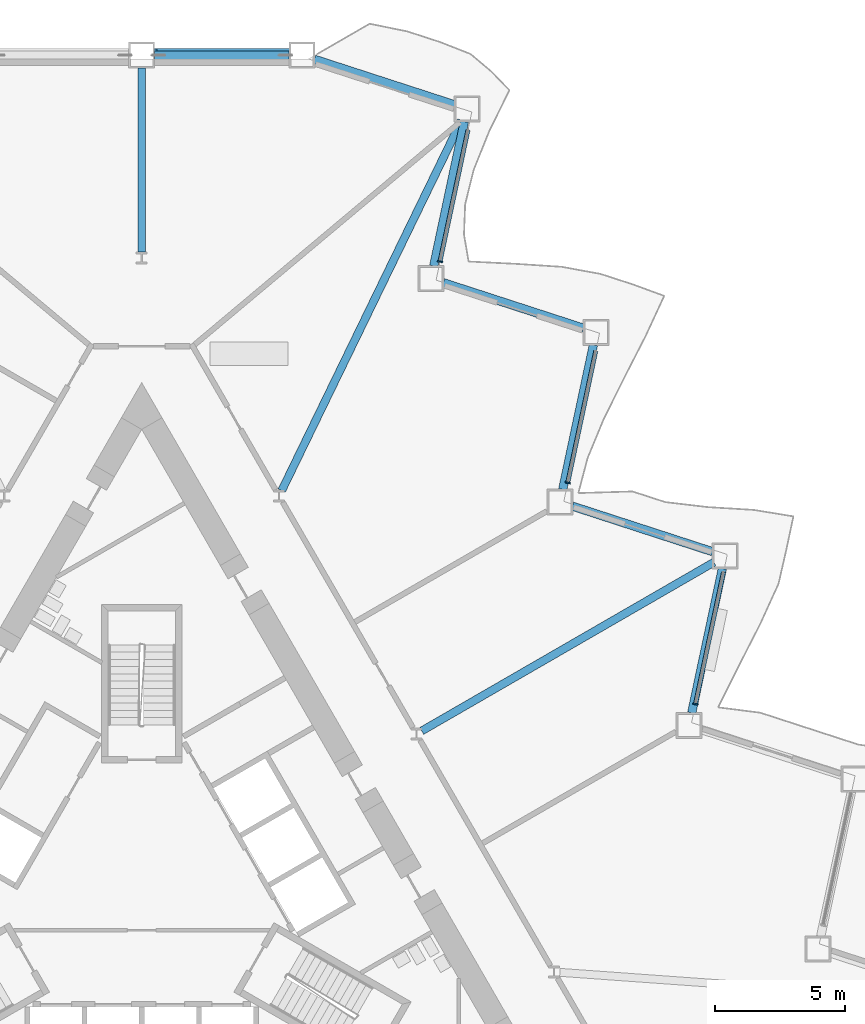
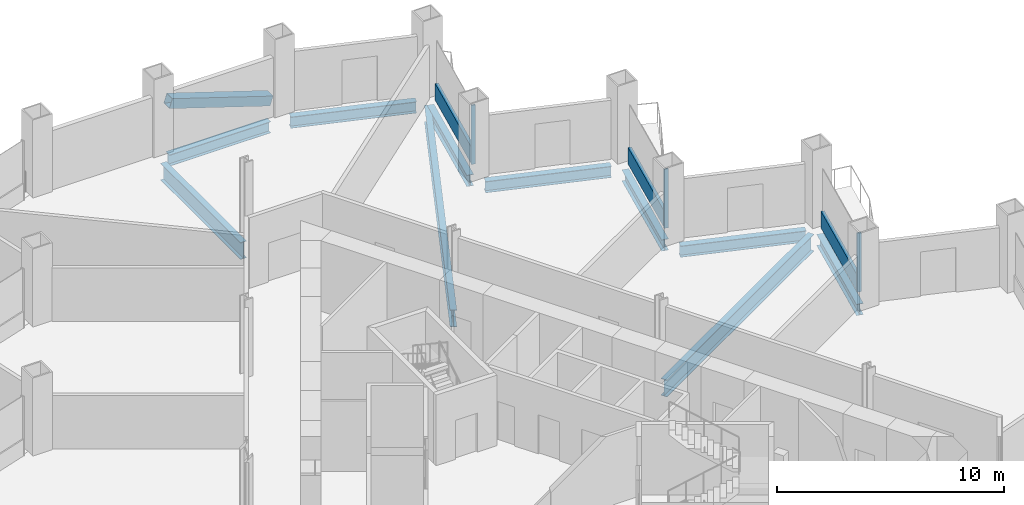
# One storey, part 7 of 21: 10 beams, 7 members, 3 elements without a shape of their own.
"""IFC4 building model written with IfcOpenShell, lengths in metres."""

from ifc_helpers import new_model, si_unit, direction, frame, origin, origin_2d, place, context, subcontext, project, spatial, rectangle, hollow_rectangle, i_section, extrude, material, layer, layer_set, material_profile, profile_set, type_object, element, aggregate, save


model = new_model("IFC4")

# Units and contexts
model_context = context("Model", 3, precision=1e-05, world=origin(), true_north=direction((0.0, 1.0)))
body_context = subcontext(model_context, "Body", "Model", "MODEL_VIEW")
ifc_project = project(units=[si_unit("LENGTHUNIT", "METRE"), si_unit("AREAUNIT", "SQUARE_METRE"), si_unit("VOLUMEUNIT", "CUBIC_METRE"), si_unit("PLANEANGLEUNIT", "RADIAN"), si_unit("MASSUNIT", "GRAM", prefix="KILO")], contexts=[model_context])

# Site, building, storey
site_placement = place(None, origin())
site = spatial("IfcSite", under=ifc_project, at=site_placement, CompositionType="ELEMENT")
building_placement = place(site_placement, origin())
building = spatial("IfcBuilding", under=site, at=building_placement, Name="Cormorant Prow Tower", CompositionType="ELEMENT")
storey_placement = place(building_placement, frame((0.0, 0.0, 72.0)))
storey = spatial("IfcBuildingStorey", under=building, at=storey_placement, Name="L15", CompositionType="ELEMENT", Elevation=72.0)

# Member
ifc_material_1 = material(Name="Structural steel ASTM A500 Gr C", Category="steel")
ifc_material_profile_1 = material_profile(ifc_material_1, hollow_rectangle(XDim=0.508056640625, YDim=0.508056640625, WallThickness=0.014892578125, at=origin_2d()), Name="HSS20x20x5/8")
ifc_profile_set_1 = profile_set([ifc_material_profile_1], Name="Structural steel ASTM A500 Gr C")
member_type_1 = type_object("IfcMemberType", Name="Chamfer brace HSS20x20x5/8", PredefinedType="BRACE", material=ifc_profile_set_1)
member_1_placement = place(storey_placement, frame((5.65087890625, 32.233642578125, 0.767333984375), z_axis=(-0.951774314198, 0.0, 0.306799046335), x_axis=(0.0, -1.0, 0.0)))
element("IfcMember", 1, at=member_1_placement, inside=storey, type_object=member_type_1, Name="Chamfer brace BR1 at N00 L15", PredefinedType="BRACE", context=body_context, shape_type="SweptSolid", body=[
    extrude(hollow_rectangle(XDim=0.508056640625, YDim=0.508056640625, WallThickness=0.014892578125, at=origin_2d()), origin(), (0.0, 0.0, 1.0), 5.39208984375),
])

# Curtain wall, member
ifc_material_2 = material(Name="Aluminium 6063-T6", Category="aluminium")
ifc_layer = layer(ifc_material_2, 0.199951171875)
ifc_layer_set = layer_set([ifc_layer], Name="Aluminium 6063-T6")
curtain_wall_type = type_object("IfcCurtainWallType", Name="Office unitised curtain wall 200", PredefinedType="NOTDEFINED", material=ifc_layer_set)
curtain_wall_1_placement = place(storey_placement, origin())
curtain_wall_1 = element("IfcCurtainWall", 2, at=curtain_wall_1_placement, inside=storey, type_object=curtain_wall_type, Name="Office curtain wall ENE04", PredefinedType="NOTDEFINED")
ifc_material_3 = material(Name="Aluminium 6063-T6", Category="aluminium")
ifc_material_profile_2 = material_profile(ifc_material_3, rectangle(XDim=0.199951171875, YDim=0.06005859375, at=origin_2d()), Name="Office mullion 60x200")
ifc_profile_set_2 = profile_set([ifc_material_profile_2], Name="Aluminium 6063-T6")
member_type_2 = type_object("IfcMemberType", Name="Office mullion 60x200", PredefinedType="MULLION", material=ifc_profile_set_2)
member_2_placement = place(storey_placement, frame((21.318359375, 7.259521484375, 0.0), z_axis=(0.0, 0.0, 1.0), x_axis=(-0.978147586919, 0.20791175581, 0.0)))
member_2 = element("IfcMember", 3, at=member_2_placement, type_object=member_type_2, Name="Office mullion ENE04", PredefinedType="MULLION", context=body_context, shape_type="SweptSolid", body=[
    extrude(rectangle(XDim=0.199951171875, YDim=0.06005859375, at=origin_2d()), origin(), (0.0, 0.0, 1.0), 3.18896484375),
])

curtain_wall_2_placement = place(storey_placement, origin())
curtain_wall_2 = element("IfcCurtainWall", 4, at=curtain_wall_2_placement, inside=storey, type_object=curtain_wall_type, Name="Office curtain wall ENE06", PredefinedType="NOTDEFINED")
member_3_placement = place(storey_placement, frame((16.4013671875, 15.77587890625, 0.0), z_axis=(0.0, 0.0, 1.0), x_axis=(-0.978147586919, 0.20791175581, 0.0)))
member_3 = element("IfcMember", 5, at=member_3_placement, type_object=member_type_2, Name="Office mullion ENE06", PredefinedType="MULLION", context=body_context, shape_type="SweptSolid", body=[
    extrude(rectangle(XDim=0.199951171875, YDim=0.06005859375, at=origin_2d()), origin(), (0.0, 0.0, 1.0), 3.18896484375),
])

curtain_wall_3_placement = place(storey_placement, origin())
curtain_wall_3 = element("IfcCurtainWall", 6, at=curtain_wall_3_placement, inside=storey, type_object=curtain_wall_type, Name="Office curtain wall ENE08", PredefinedType="NOTDEFINED")
member_4_placement = place(storey_placement, frame((11.484375, 24.29248046875, 0.0), z_axis=(0.0, 0.0, 1.0), x_axis=(-0.978147586919, 0.20791175581, 0.0)))
member_4 = element("IfcMember", 7, at=member_4_placement, type_object=member_type_2, Name="Office mullion ENE08", PredefinedType="MULLION", context=body_context, shape_type="SweptSolid", body=[
    extrude(rectangle(XDim=0.199951171875, YDim=0.06005859375, at=origin_2d()), origin(), (0.0, 0.0, 1.0), 3.18896484375),
])

# Member
ifc_material_4 = material(Name="Terracotta", Category="masonry")
ifc_material_profile_3 = material_profile(ifc_material_4, rectangle(XDim=0.159912109375, YDim=0.89990234375, at=origin_2d()), Name="Office terracotta spandrel rail 160x900")
ifc_profile_set_3 = profile_set([ifc_material_profile_3], Name="Terracotta")
member_type_3 = type_object("IfcMemberType", Name="Office terracotta spandrel rail 160x900", PredefinedType="USERDEFINED", material=ifc_profile_set_3)
member_5_placement = place(storey_placement, frame((21.324462890625, 7.288818359375, 0.449951171875), z_axis=(0.207952297337, 0.978138968671, 0.0), x_axis=(-0.978138968671, 0.207952297337, 0.0)))
member_5 = element("IfcMember", 8, at=member_5_placement, type_object=member_type_3, Name="Office spandrel rail ENE04", ObjectType="TRANSOM", PredefinedType="USERDEFINED", context=body_context, shape_type="SweptSolid", body=[
    extrude(rectangle(XDim=0.159912109375, YDim=0.89990234375, at=origin_2d()), origin(), (0.0, 0.0, 1.0), 5.150390625),
])

aggregate(curtain_wall_1, [member_2, member_5])

member_6_placement = place(storey_placement, frame((16.407470703125, 15.805419921875, 0.449951171875), z_axis=(0.207952297337, 0.978138968671, 0.0), x_axis=(-0.978138968671, 0.207952297337, 0.0)))
member_6 = element("IfcMember", 9, at=member_6_placement, type_object=member_type_3, Name="Office spandrel rail ENE06", ObjectType="TRANSOM", PredefinedType="USERDEFINED", context=body_context, shape_type="SweptSolid", body=[
    extrude(rectangle(XDim=0.159912109375, YDim=0.89990234375, at=origin_2d()), origin(), (0.0, 0.0, 1.0), 5.150390625),
])

aggregate(curtain_wall_2, [member_3, member_6])

member_7_placement = place(storey_placement, frame((11.490478515625, 24.32177734375, 0.449951171875), z_axis=(0.207897305086, 0.978150658405, 0.0), x_axis=(-0.978150658405, 0.207897305086, 0.0)))
member_7 = element("IfcMember", 10, at=member_7_placement, type_object=member_type_3, Name="Office spandrel rail ENE08", ObjectType="TRANSOM", PredefinedType="USERDEFINED", context=body_context, shape_type="SweptSolid", body=[
    extrude(rectangle(XDim=0.159912109375, YDim=0.89990234375, at=origin_2d()), origin(), (0.0, 0.0, 1.0), 5.150634765625),
])

aggregate(curtain_wall_3, [member_4, member_7])

# Beams
ifc_material_5 = material(Name="Structural steel ASTM A992 Gr 50", Category="steel")
ifc_material_profile_4 = material_profile(ifc_material_5, i_section(OverallWidth=0.3046875, OverallDepth=0.914794921875, WebThickness=0.0166015625, FlangeThickness=0.02587890625, at=origin_2d()), Name="W36x160")
ifc_profile_set_4 = profile_set([ifc_material_profile_4], Name="Structural steel ASTM A992 Gr 50")
beam_type_1 = type_object("IfcBeamType", Name="Radial floor beam W36x160", PredefinedType="BEAM", material=ifc_profile_set_4)
beam_1_placement = place(storey_placement, frame((0.0, 24.662109375, -0.857421875), z_axis=(0.0, 1.0, 0.0), x_axis=(-1.0, 0.0, 0.0)))
element("IfcBeam", 11, at=beam_1_placement, inside=storey, type_object=beam_type_1, Name="Radial floor beam FB1 1 L15", PredefinedType="BEAM", context=body_context, shape_type="SweptSolid", body=[
    extrude(i_section(OverallWidth=0.3046875, OverallDepth=0.914794921875, WebThickness=0.0166015625, FlangeThickness=0.02587890625, at=origin_2d()), origin(), (0.0, 0.0, 1.0), 7.071533203125),
])
beam_2_placement = place(storey_placement, frame((10.779541015625, 6.2236328125, -0.857421875), z_axis=(0.866030278318, 0.499991556966, 0.0), x_axis=(-0.499991556966, 0.866030278318, 0.0)))
element("IfcBeam", 12, at=beam_2_placement, inside=storey, type_object=beam_type_1, Name="Radial floor beam FB1 11 L15", PredefinedType="BEAM", context=body_context, shape_type="SweptSolid", body=[
    extrude(i_section(OverallWidth=0.3046875, OverallDepth=0.914794921875, WebThickness=0.0166015625, FlangeThickness=0.02587890625, at=origin_2d()), origin(), (0.0, 0.0, 1.0), 12.984130859375),
])
beam_3_placement = place(storey_placement, frame((5.390625, 15.4775390625, -0.857421875), z_axis=(0.436839436813, 0.899539496879, 0.0), x_axis=(-0.899539496879, 0.436839436813, 0.0)))
element("IfcBeam", 13, at=beam_3_placement, inside=storey, type_object=beam_type_1, Name="Radial floor beam FB1 12 L15", PredefinedType="BEAM", context=body_context, shape_type="SweptSolid", body=[
    extrude(i_section(OverallWidth=0.3046875, OverallDepth=0.914794921875, WebThickness=0.0166015625, FlangeThickness=0.02587890625, at=origin_2d()), origin(), (0.0, 0.0, 1.0), 15.83203125),
])
ifc_material_6 = material(Name="Structural steel ASTM A992 Gr 50", Category="steel")
ifc_material_profile_5 = material_profile(ifc_material_6, i_section(OverallWidth=0.32373046875, OverallDepth=0.611083984375, WebThickness=0.0126953125, FlangeThickness=0.01904296875, at=origin_2d()), Name="W24x104")
ifc_profile_set_5 = profile_set([ifc_material_profile_5], Name="Structural steel ASTM A992 Gr 50")
beam_type_2 = type_object("IfcBeamType", Name="Spandrel beam W24x104", PredefinedType="SPANDREL", material=ifc_profile_set_5)
beam_4_placement = place(storey_placement, frame((21.171875, 6.918212890625, -0.70556640625), z_axis=(0.207900376723, 0.97815000555, 0.0), x_axis=(-0.97815000555, 0.207900376723, 0.0)))
element("IfcBeam", 14, at=beam_4_placement, inside=storey, type_object=beam_type_2, Name="Spandrel beam SB1 ENE04-ENE05 L15", PredefinedType="SPANDREL", context=body_context, shape_type="SweptSolid", body=[
    extrude(i_section(OverallWidth=0.32373046875, OverallDepth=0.611083984375, WebThickness=0.0126953125, FlangeThickness=0.01904296875, at=origin_2d()), origin(), (0.0, 0.0, 1.0), 5.6826171875),
])
beam_5_placement = place(storey_placement, frame((21.981689453125, 13.1201171875, -0.70556640625), z_axis=(-0.951049222751, 0.309039440696, 0.0), x_axis=(-0.309039440696, -0.951049222751, 0.0)))
element("IfcBeam", 15, at=beam_5_placement, inside=storey, type_object=beam_type_2, Name="Spandrel beam SB1 ENE05-ENE06 L15", PredefinedType="SPANDREL", context=body_context, shape_type="SweptSolid", body=[
    extrude(i_section(OverallWidth=0.32373046875, OverallDepth=0.611083984375, WebThickness=0.0126953125, FlangeThickness=0.01904296875, at=origin_2d()), origin(), (0.0, 0.0, 1.0), 5.682373046875),
])
beam_6_placement = place(storey_placement, frame((16.205810546875, 15.519775390625, -0.70556640625), z_axis=(0.207900376723, 0.97815000555, 0.0), x_axis=(-0.97815000555, 0.207900376723, 0.0)))
element("IfcBeam", 16, at=beam_6_placement, inside=storey, type_object=beam_type_2, Name="Spandrel beam SB1 ENE06-ENE07 L15", PredefinedType="SPANDREL", context=body_context, shape_type="SweptSolid", body=[
    extrude(i_section(OverallWidth=0.32373046875, OverallDepth=0.611083984375, WebThickness=0.0126953125, FlangeThickness=0.01904296875, at=origin_2d()), origin(), (0.0, 0.0, 1.0), 5.6826171875),
])
beam_7_placement = place(storey_placement, frame((17.015625, 21.7216796875, -0.70556640625), z_axis=(-0.951049222751, 0.309039440696, 0.0), x_axis=(-0.309039440696, -0.951049222751, 0.0)))
element("IfcBeam", 17, at=beam_7_placement, inside=storey, type_object=beam_type_2, Name="Spandrel beam SB1 ENE07-ENE08 L15", PredefinedType="SPANDREL", context=body_context, shape_type="SweptSolid", body=[
    extrude(i_section(OverallWidth=0.32373046875, OverallDepth=0.611083984375, WebThickness=0.0126953125, FlangeThickness=0.01904296875, at=origin_2d()), origin(), (0.0, 0.0, 1.0), 5.682373046875),
])
beam_8_placement = place(storey_placement, frame((11.23974609375, 24.121337890625, -0.70556640625), z_axis=(0.207900376723, 0.97815000555, 0.0), x_axis=(-0.97815000555, 0.207900376723, 0.0)))
element("IfcBeam", 18, at=beam_8_placement, inside=storey, type_object=beam_type_2, Name="Spandrel beam SB1 ENE08-ENE09 L15", PredefinedType="SPANDREL", context=body_context, shape_type="SweptSolid", body=[
    extrude(i_section(OverallWidth=0.32373046875, OverallDepth=0.611083984375, WebThickness=0.0126953125, FlangeThickness=0.01904296875, at=origin_2d()), origin(), (0.0, 0.0, 1.0), 5.6826171875),
])
beam_9_placement = place(storey_placement, frame((12.049560546875, 30.3232421875, -0.70556640625), z_axis=(-0.951061849722, 0.309000579292, 0.0), x_axis=(-0.309000579292, -0.951061849722, 0.0)))
element("IfcBeam", 19, at=beam_9_placement, inside=storey, type_object=beam_type_2, Name="Spandrel beam SB1 ENE09-N00 L15", PredefinedType="SPANDREL", context=body_context, shape_type="SweptSolid", body=[
    extrude(i_section(OverallWidth=0.32373046875, OverallDepth=0.611083984375, WebThickness=0.0126953125, FlangeThickness=0.01904296875, at=origin_2d()), origin(), (0.0, 0.0, 1.0), 5.682373046875),
])
beam_10_placement = place(storey_placement, frame((5.669677734375, 32.233642578125, -0.70556640625), z_axis=(-1.0, 0.0, 0.0), x_axis=(0.0, -1.0, 0.0)))
element("IfcBeam", 20, at=beam_10_placement, inside=storey, type_object=beam_type_2, Name="Spandrel beam SB1 N00-N01 L15", PredefinedType="SPANDREL", context=body_context, shape_type="SweptSolid", body=[
    extrude(i_section(OverallWidth=0.32373046875, OverallDepth=0.611083984375, WebThickness=0.0126953125, FlangeThickness=0.01904296875, at=origin_2d()), origin(), (0.0, 0.0, 1.0), 5.169677734375),
])

save(model, "model.ifc")
